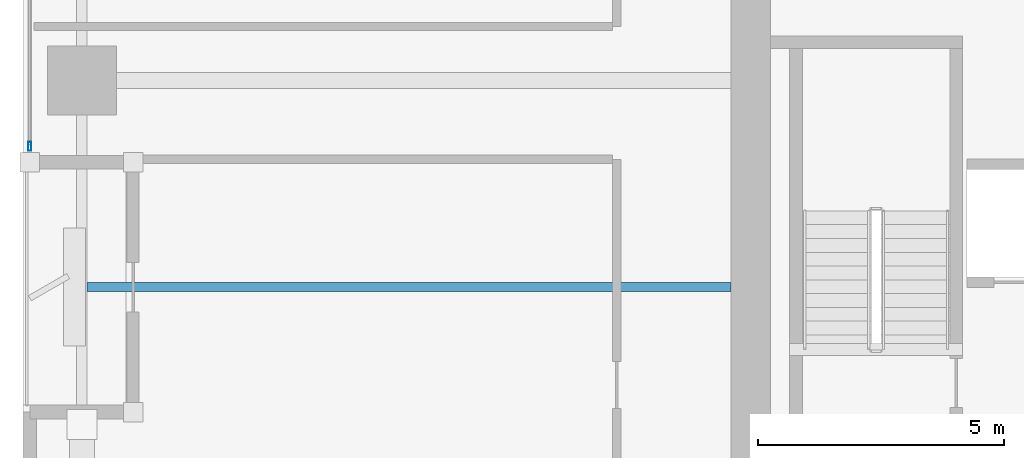
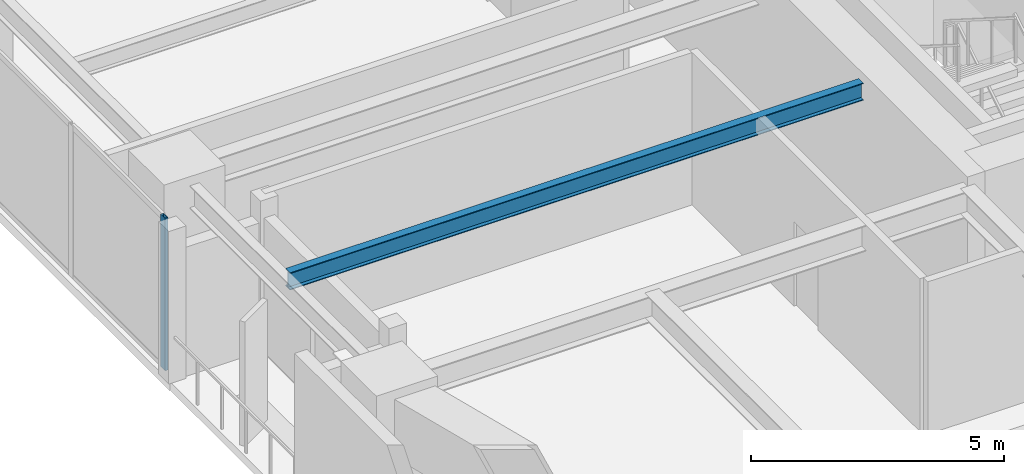
# One storey, part 2 of 31: 1 beam, 1 member, 1 element without a shape of its own.
"""IFC4 building model written with IfcOpenShell, lengths in metres."""

from ifc_helpers import new_model, si_unit, direction, frame, origin, origin_2d, place, context, subcontext, project, spatial, hollow_rectangle, i_section, extrude, material, layer, layer_set, material_profile, profile_set, type_object, element, aggregate, save


model = new_model("IFC4")

# Units and contexts
model_context = context("Model", 3, precision=1e-05, world=origin(), true_north=direction((0.0, 1.0)))
body_context = subcontext(model_context, "Body", "Model", "MODEL_VIEW")
ifc_project = project(units=[si_unit("LENGTHUNIT", "METRE"), si_unit("AREAUNIT", "SQUARE_METRE"), si_unit("VOLUMEUNIT", "CUBIC_METRE"), si_unit("PLANEANGLEUNIT", "RADIAN"), si_unit("MASSUNIT", "GRAM", prefix="KILO")], contexts=[model_context])

# Site, building, storey
site_placement = place(None, origin())
site = spatial("IfcSite", under=ifc_project, at=site_placement, CompositionType="ELEMENT")
building_placement = place(site_placement, origin())
building = spatial("IfcBuilding", under=site, at=building_placement, Name="Kiyonajd Concourse Tower", CompositionType="ELEMENT")
storey_placement = place(building_placement, frame((0.0, 0.0, 158.39990234375)))
storey = spatial("IfcBuildingStorey", under=building, at=storey_placement, Name="L40", CompositionType="ELEMENT", Elevation=158.39990234375)

# Beam
ifc_material_1 = material(Name="Steel ASTM A992 Grade 50", Category="steel")
ifc_material_profile_1 = material_profile(ifc_material_1, i_section(OverallWidth=0.180908203125, OverallDepth=0.4169921875, WebThickness=0.010986328125, FlangeThickness=0.018310546875, at=origin_2d()), Name="W410X85")
ifc_profile_set_1 = profile_set([ifc_material_profile_1], Name="Steel ASTM A992 Grade 50")
beam_type = type_object("IfcBeamType", Name="BM-JST-410", PredefinedType="JOIST", material=ifc_profile_set_1)
beam_placement = place(storey_placement, frame((19.306884765625, 31.800048828125, 3.4716796875), z_axis=(1.0, 0.0, 0.0), x_axis=(0.0, 1.0, 0.0)))
element("IfcBeam", 1, at=beam_placement, inside=storey, type_object=beam_type, Name="L40 West Secondary Floor Joist", PredefinedType="JOIST", context=body_context, shape_type="SweptSolid", body=[
    extrude(i_section(OverallWidth=0.180908203125, OverallDepth=0.4169921875, WebThickness=0.010986328125, FlangeThickness=0.018310546875, at=origin_2d()), origin(), (0.0, 0.0, 1.0), 13.093017578125),
])

# Curtain wall, member
ifc_material_2 = material(Name="Thermally Broken Anodised Aluminium", Category="aluminium")
ifc_layer = layer(ifc_material_2, 0.179931640625)
ifc_layer_set = layer_set([ifc_layer], Name="Thermally Broken Anodised Aluminium")
curtain_wall_type = type_object("IfcCurtainWallType", Name="CW-SYS-03", PredefinedType="NOTDEFINED", material=ifc_layer_set)
curtain_wall_placement = place(storey_placement, origin())
curtain_wall = element("IfcCurtainWall", 2, at=curtain_wall_placement, inside=storey, type_object=curtain_wall_type, Name="L40 Unitised Curtain Wall CW3", PredefinedType="NOTDEFINED")
ifc_material_profile_2 = material_profile(ifc_material_2, hollow_rectangle(XDim=0.06494140625, YDim=0.179931640625, WallThickness=0.00390625, at=origin_2d()), Name="MULL-65x180")
ifc_profile_set_2 = profile_set([ifc_material_profile_2], Name="Thermally Broken Anodised Aluminium")
member_type = type_object("IfcMemberType", Name="MB-CW-MULL1", PredefinedType="MULLION", material=ifc_profile_set_2)
member_placement = place(storey_placement, frame((18.139892578125, 34.66259765625, 0.0), z_axis=(0.0, 0.0, 1.0), x_axis=(-1.0, 0.0, 0.0)))
member = element("IfcMember", 3, at=member_placement, type_object=member_type, Name="CW3 mullion 1", PredefinedType="MULLION", context=body_context, shape_type="SweptSolid", body=[
    extrude(hollow_rectangle(XDim=0.06494140625, YDim=0.179931640625, WallThickness=0.00390625, at=origin_2d()), origin(), (0.0, 0.0, 1.0), 3.68017578125),
])
aggregate(curtain_wall, [member])

save(model, "model.ifc")
